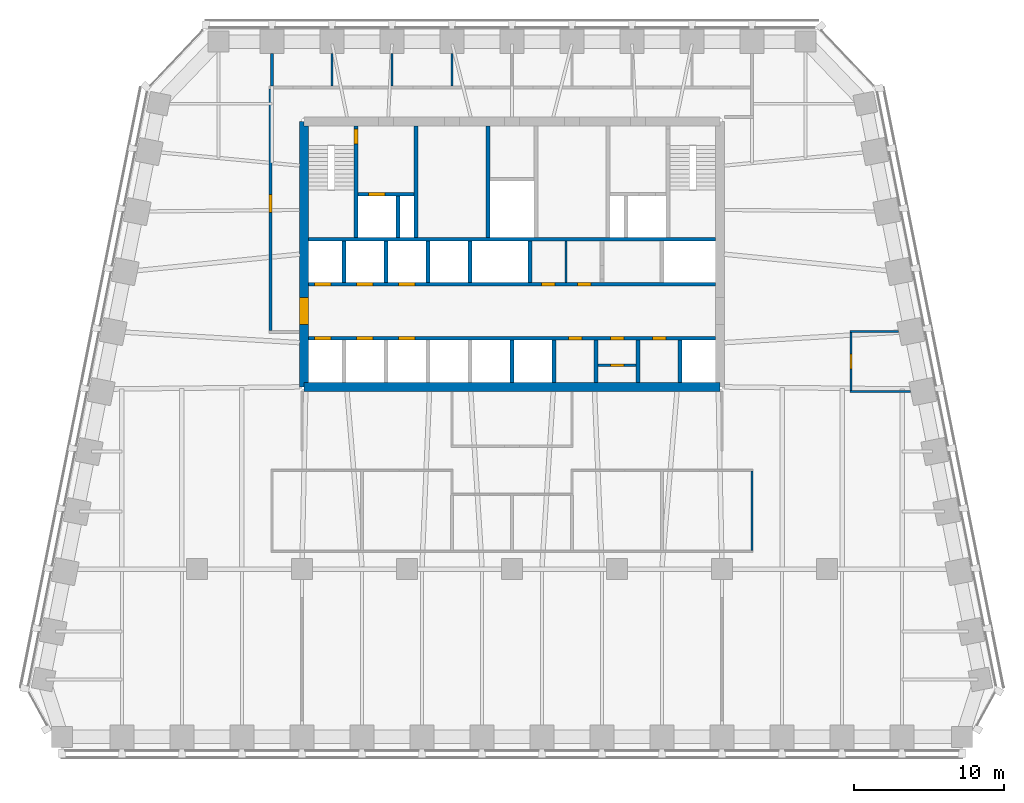
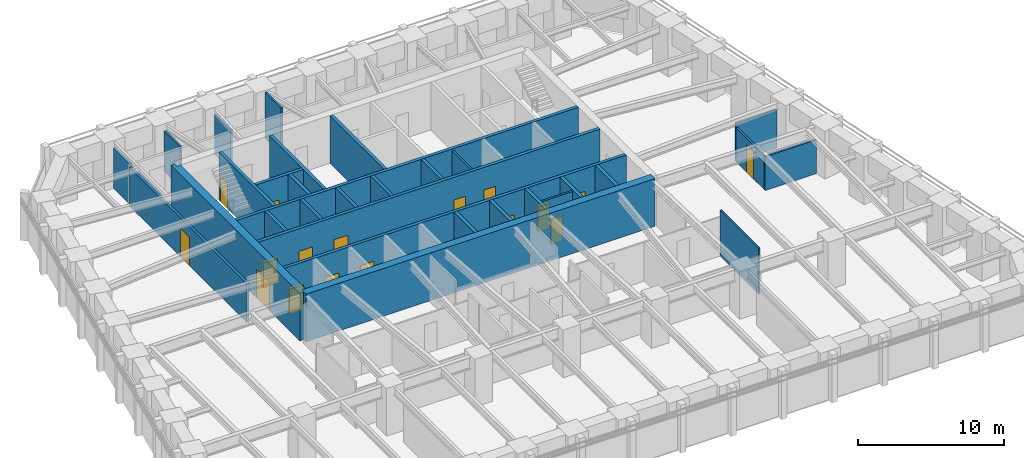
# One storey, part 6 of 10: 31 walls, 17 doors, 17 openings.
"""IFC4 building model written with IfcOpenShell, lengths in metres."""

from ifc_helpers import new_model, si_unit, direction, frame, frame_2d, origin, place, context, subcontext, project, spatial, polyline, rectangle, outline, extrude, material, layer, layer_set, type_object, element, fill, save


model = new_model("IFC4")

# Units and contexts
model_context = context("Model", 3, precision=1e-05, world=origin(), true_north=direction((0.0, 1.0)))
body_context = subcontext(model_context, "Body", "Model", "MODEL_VIEW")
ifc_project = project(units=[si_unit("LENGTHUNIT", "METRE"), si_unit("AREAUNIT", "SQUARE_METRE"), si_unit("VOLUMEUNIT", "CUBIC_METRE"), si_unit("PLANEANGLEUNIT", "RADIAN"), si_unit("MASSUNIT", "GRAM", prefix="KILO")], contexts=[model_context])

# Site, building, storey
site_placement = place(None, origin())
site = spatial("IfcSite", under=ifc_project, at=site_placement, CompositionType="ELEMENT")
building_placement = place(site_placement, origin())
building = spatial("IfcBuilding", under=site, at=building_placement, Name="Isbrekke Arena Tower", CompositionType="ELEMENT")
storey_placement = place(building_placement, frame((0.0, 0.0, 182.0)))
storey = spatial("IfcBuildingStorey", under=building, at=storey_placement, Name="L41", CompositionType="ELEMENT", Elevation=182.0)

# Wall
ifc_material_1 = material(Name="Concrete B55 (C55/67)", Category="concrete")
ifc_layer_1 = layer(ifc_material_1, 0.60009765625)
ifc_layer_set_1 = layer_set([ifc_layer_1], Name="CW4 CORE WALL 600")
wall_type_1 = type_object("IfcWallType", Name="CW4 CORE WALL 600", PredefinedType="SHEAR", material=ifc_layer_set_1)
wall_1_placement = place(storey_placement, frame((-13.85009765625, 6.14990234375, 0.0), z_axis=(0.0, 0.0, 1.0), x_axis=(1.0, 0.0, 0.0)))
element("IfcWall", 1, at=wall_1_placement, inside=storey, type_object=wall_type_1, Name="Core wall S L41", PredefinedType="SHEAR", context=body_context, shape_type="SweptSolid", body=[
    extrude(rectangle(XDim=27.7001953125, YDim=0.60009765625, at=frame_2d((13.85009765625, 0.0))), origin(), (0.0, 0.0, 1.0), 4.0),
])

# Wall, opening, door
wall_2_placement = place(storey_placement, frame((-13.85009765625, 23.85009765625, 0.0), z_axis=(0.0, 0.0, 1.0), x_axis=(0.0, -1.0, 0.0)))
wall_2 = element("IfcWall", 2, at=wall_2_placement, inside=storey, type_object=wall_type_1, Name="Core wall W L41", PredefinedType="SHEAR", context=body_context, shape_type="SweptSolid", body=[
    extrude(outline(polyline([(0.0, -0.300048828125), (17.7001953125, -0.300048828125), (17.7001953125, 0.0), (17.400146484375, 0.0), (17.400146484375, 0.300048828125), (0.300048828125, 0.300048828125), (0.300048828125, 0.0), (0.0, 0.0), (0.0, -0.300048828125)])), origin(), (0.0, 0.0, 1.0), 4.0),
])
opening_1_placement = place(wall_2_placement, frame((11.75, 0.0, 0.0)))
opening_1 = element("IfcOpeningElement", 3, at=opening_1_placement, cuts=wall_2, Name="Opening D1", PredefinedType="OPENING", context=body_context, shape_type="SweptSolid", body=[
    extrude(rectangle(XDim=1.800048828125, YDim=2.39990234375, at=frame_2d((0.89990234375, 1.199951171875))), frame((0.0, 0.31494140625, 0.0), z_axis=(0.0, -1.0, 0.0), x_axis=(1.0, 0.0, 0.0)), (0.0, 0.0, 1.0), 0.6298828125),
])
ifc_material_2 = material(Name="Steel-framed glazed fire door", Category="steel")
door_type_1 = type_object("IfcDoorType", Name="D1 CORE LOBBY DOOR 1800 x 2400", OperationType="DOUBLE_DOOR_SINGLE_SWING", PredefinedType="DOOR", material=ifc_material_2)
door_1_placement = place(opening_1_placement, origin())
door_1 = element("IfcDoor", 4, at=door_1_placement, inside=storey, type_object=door_type_1, Name="D1 lift lobby door west L41", OperationType="DOUBLE_DOOR_SINGLE_SWING", OverallHeight=2.39990234375, OverallWidth=1.800048828125, PredefinedType="DOOR", context=body_context, shape_type="SweptSolid", body=[
    extrude(rectangle(XDim=1.800048828125, YDim=2.39990234375, at=frame_2d((0.89990234375, 1.199951171875))), frame((0.0, 0.2998046875, 0.0), z_axis=(0.0, -1.0, 0.0), x_axis=(1.0, 0.0, 0.0)), (0.0, 0.0, 1.0), 0.599609375),
])
fill(opening_1, door_1)

# Wall, openings, doors
ifc_material_3 = material(Name="Concrete B45 (C45/55)", Category="concrete")
ifc_layer_2 = layer(ifc_material_3, 0.25)
ifc_layer_set_2 = layer_set([ifc_layer_2], Name="CW6 SHAFT WALL 250")
wall_type_2 = type_object("IfcWallType", Name="CW6 SHAFT WALL 250", PredefinedType="SHEAR", material=ifc_layer_set_2)
wall_3_placement = place(storey_placement, frame((-13.550048828125, 9.39990234375, 0.0), z_axis=(0.0, 0.0, 1.0), x_axis=(1.0, 0.0, 0.0)))
wall_3 = element("IfcWall", 5, at=wall_3_placement, inside=storey, type_object=wall_type_2, Name="Core wall LS L41", PredefinedType="SHEAR", context=body_context, shape_type="SweptSolid", body=[
    extrude(rectangle(XDim=27.10009765625, YDim=0.25, at=frame_2d((13.550048828125, 0.0))), origin(), (0.0, 0.0, 1.0), 4.0),
])
opening_2_placement = place(wall_3_placement, frame((0.39990234375, 0.0, 0.0)))
opening_2 = element("IfcOpeningElement", 6, at=opening_2_placement, cuts=wall_3, Name="Opening LD1", PredefinedType="OPENING", context=body_context, shape_type="SweptSolid", body=[
    extrude(rectangle(XDim=1.10009765625, YDim=2.10009765625, at=frame_2d((0.550048828125, 1.050048828125))), frame((0.0, 0.139892578125, 0.0), z_axis=(0.0, -1.0, 0.0), x_axis=(1.0, 0.0, 0.0)), (0.0, 0.0, 1.0), 0.27978515625),
])
opening_3_placement = place(wall_3_placement, frame((3.199951171875, 0.0, 0.0)))
opening_3 = element("IfcOpeningElement", 7, at=opening_3_placement, cuts=wall_3, Name="Opening LD1", PredefinedType="OPENING", context=body_context, shape_type="SweptSolid", body=[
    extrude(rectangle(XDim=1.10009765625, YDim=2.10009765625, at=frame_2d((0.550048828125, 1.050048828125))), frame((0.0, 0.139892578125, 0.0), z_axis=(0.0, -1.0, 0.0), x_axis=(1.0, 0.0, 0.0)), (0.0, 0.0, 1.0), 0.27978515625),
])
opening_4_placement = place(wall_3_placement, frame((6.0, 0.0, 0.0)))
opening_4 = element("IfcOpeningElement", 8, at=opening_4_placement, cuts=wall_3, Name="Opening LD1", PredefinedType="OPENING", context=body_context, shape_type="SweptSolid", body=[
    extrude(rectangle(XDim=1.10009765625, YDim=2.10009765625, at=frame_2d((0.550048828125, 1.050048828125))), frame((0.0, 0.139892578125, 0.0), z_axis=(0.0, -1.0, 0.0), x_axis=(1.0, 0.0, 0.0)), (0.0, 0.0, 1.0), 0.27978515625),
])
opening_5_placement = place(wall_3_placement, frame((17.300048828125, 0.0, 0.0)))
opening_5 = element("IfcOpeningElement", 9, at=opening_5_placement, cuts=wall_3, Name="Opening D5", PredefinedType="OPENING", context=body_context, shape_type="SweptSolid", body=[
    extrude(rectangle(XDim=0.89990234375, YDim=2.10009765625, at=frame_2d((0.449951171875, 1.050048828125))), frame((0.0, 0.139892578125, 0.0), z_axis=(0.0, -1.0, 0.0), x_axis=(1.0, 0.0, 0.0)), (0.0, 0.0, 1.0), 0.27978515625),
])
opening_6_placement = place(wall_3_placement, frame((20.10009765625, 0.0, 0.0)))
opening_6 = element("IfcOpeningElement", 10, at=opening_6_placement, cuts=wall_3, Name="Opening D5", PredefinedType="OPENING", context=body_context, shape_type="SweptSolid", body=[
    extrude(rectangle(XDim=0.89990234375, YDim=2.10009765625, at=frame_2d((0.449951171875, 1.050048828125))), frame((0.0, 0.139892578125, 0.0), z_axis=(0.0, -1.0, 0.0), x_axis=(1.0, 0.0, 0.0)), (0.0, 0.0, 1.0), 0.27978515625),
])
opening_7_placement = place(wall_3_placement, frame((22.89990234375, 0.0, 0.0)))
opening_7 = element("IfcOpeningElement", 11, at=opening_7_placement, cuts=wall_3, Name="Opening D5", PredefinedType="OPENING", context=body_context, shape_type="SweptSolid", body=[
    extrude(rectangle(XDim=0.89990234375, YDim=2.10009765625, at=frame_2d((0.449951171875, 1.050048828125))), frame((0.0, 0.139892578125, 0.0), z_axis=(0.0, -1.0, 0.0), x_axis=(1.0, 0.0, 0.0)), (0.0, 0.0, 1.0), 0.27978515625),
])
ifc_material_4 = material(Name="Steel fire door", Category="steel")
door_type_2 = type_object("IfcDoorType", Name="D5 SERVICE DOOR 900 x 2100", OperationType="SINGLE_SWING_LEFT", PredefinedType="DOOR", material=ifc_material_4)
door_2_placement = place(opening_5_placement, origin())
door_2 = element("IfcDoor", 12, at=door_2_placement, inside=storey, type_object=door_type_2, Name="D5 technical room door L41", OperationType="SINGLE_SWING_LEFT", OverallHeight=2.10009765625, OverallWidth=0.89990234375, PredefinedType="DOOR", context=body_context, shape_type="SweptSolid", body=[
    extrude(rectangle(XDim=0.89990234375, YDim=2.10009765625, at=frame_2d((0.449951171875, 1.050048828125))), frame((0.0, 0.124755859375, 0.0), z_axis=(0.0, -1.0, 0.0), x_axis=(1.0, 0.0, 0.0)), (0.0, 0.0, 1.0), 0.24951171875),
])
fill(opening_5, door_2)
door_3_placement = place(opening_6_placement, origin())
door_3 = element("IfcDoor", 13, at=door_3_placement, inside=storey, type_object=door_type_2, Name="D5 print room door L41", OperationType="SINGLE_SWING_LEFT", OverallHeight=2.10009765625, OverallWidth=0.89990234375, PredefinedType="DOOR", context=body_context, shape_type="SweptSolid", body=[
    extrude(rectangle(XDim=0.89990234375, YDim=2.10009765625, at=frame_2d((0.449951171875, 1.050048828125))), frame((0.0, 0.124755859375, 0.0), z_axis=(0.0, -1.0, 0.0), x_axis=(1.0, 0.0, 0.0)), (0.0, 0.0, 1.0), 0.24951171875),
])
fill(opening_6, door_3)
door_4_placement = place(opening_7_placement, origin())
door_4 = element("IfcDoor", 14, at=door_4_placement, inside=storey, type_object=door_type_2, Name="D5 archive door L41", OperationType="SINGLE_SWING_LEFT", OverallHeight=2.10009765625, OverallWidth=0.89990234375, PredefinedType="DOOR", context=body_context, shape_type="SweptSolid", body=[
    extrude(rectangle(XDim=0.89990234375, YDim=2.10009765625, at=frame_2d((0.449951171875, 1.050048828125))), frame((0.0, 0.124755859375, 0.0), z_axis=(0.0, -1.0, 0.0), x_axis=(1.0, 0.0, 0.0)), (0.0, 0.0, 1.0), 0.24951171875),
])
fill(opening_7, door_4)
ifc_material_5 = material(Name="Stainless steel lift landing door", Category="steel")
door_type_3 = type_object("IfcDoorType", Name="LD1 LIFT LANDING DOOR 1100 x 2100", OperationType="SLIDING_TO_LEFT", PredefinedType="DOOR", material=ifc_material_5)
door_5_placement = place(opening_2_placement, origin())
door_5 = element("IfcDoor", 15, at=door_5_placement, inside=storey, type_object=door_type_3, Name="LD1 lift landing door LC L41", OperationType="SLIDING_TO_LEFT", OverallHeight=2.10009765625, OverallWidth=1.10009765625, PredefinedType="DOOR", context=body_context, shape_type="SweptSolid", body=[
    extrude(rectangle(XDim=1.10009765625, YDim=2.10009765625, at=frame_2d((0.550048828125, 1.050048828125))), frame((0.0, 0.124755859375, 0.0), z_axis=(0.0, -1.0, 0.0), x_axis=(1.0, 0.0, 0.0)), (0.0, 0.0, 1.0), 0.24951171875),
])
fill(opening_2, door_5)
door_6_placement = place(opening_3_placement, origin())
door_6 = element("IfcDoor", 16, at=door_6_placement, inside=storey, type_object=door_type_3, Name="LD1 lift landing door LC L41", OperationType="SLIDING_TO_LEFT", OverallHeight=2.10009765625, OverallWidth=1.10009765625, PredefinedType="DOOR", context=body_context, shape_type="SweptSolid", body=[
    extrude(rectangle(XDim=1.10009765625, YDim=2.10009765625, at=frame_2d((0.550048828125, 1.050048828125))), frame((0.0, 0.124755859375, 0.0), z_axis=(0.0, -1.0, 0.0), x_axis=(1.0, 0.0, 0.0)), (0.0, 0.0, 1.0), 0.24951171875),
])
fill(opening_3, door_6)
door_7_placement = place(opening_4_placement, origin())
door_7 = element("IfcDoor", 17, at=door_7_placement, inside=storey, type_object=door_type_3, Name="LD1 lift landing door LC L41", OperationType="SLIDING_TO_LEFT", OverallHeight=2.10009765625, OverallWidth=1.10009765625, PredefinedType="DOOR", context=body_context, shape_type="SweptSolid", body=[
    extrude(rectangle(XDim=1.10009765625, YDim=2.10009765625, at=frame_2d((0.550048828125, 1.050048828125))), frame((0.0, 0.124755859375, 0.0), z_axis=(0.0, -1.0, 0.0), x_axis=(1.0, 0.0, 0.0)), (0.0, 0.0, 1.0), 0.24951171875),
])
fill(opening_4, door_7)

wall_4_placement = place(storey_placement, frame((-13.550048828125, 13.0, 0.0), z_axis=(0.0, 0.0, 1.0), x_axis=(1.0, 0.0, 0.0)))
wall_4 = element("IfcWall", 18, at=wall_4_placement, inside=storey, type_object=wall_type_2, Name="Core wall LN L41", PredefinedType="SHEAR", context=body_context, shape_type="SweptSolid", body=[
    extrude(rectangle(XDim=27.10009765625, YDim=0.25, at=frame_2d((13.550048828125, 0.0))), origin(), (0.0, 0.0, 1.0), 4.0),
])
opening_8_placement = place(wall_4_placement, frame((0.39990234375, 0.0, 0.0)))
opening_8 = element("IfcOpeningElement", 19, at=opening_8_placement, cuts=wall_4, Name="Opening LD1", PredefinedType="OPENING", context=body_context, shape_type="SweptSolid", body=[
    extrude(rectangle(XDim=1.10009765625, YDim=2.10009765625, at=frame_2d((0.550048828125, 1.050048828125))), frame((0.0, 0.139892578125, 0.0), z_axis=(0.0, -1.0, 0.0), x_axis=(1.0, 0.0, 0.0)), (0.0, 0.0, 1.0), 0.27978515625),
])
opening_9_placement = place(wall_4_placement, frame((3.199951171875, 0.0, 0.0)))
opening_9 = element("IfcOpeningElement", 20, at=opening_9_placement, cuts=wall_4, Name="Opening LD1", PredefinedType="OPENING", context=body_context, shape_type="SweptSolid", body=[
    extrude(rectangle(XDim=1.10009765625, YDim=2.10009765625, at=frame_2d((0.550048828125, 1.050048828125))), frame((0.0, 0.139892578125, 0.0), z_axis=(0.0, -1.0, 0.0), x_axis=(1.0, 0.0, 0.0)), (0.0, 0.0, 1.0), 0.27978515625),
])
opening_10_placement = place(wall_4_placement, frame((6.0, 0.0, 0.0)))
opening_10 = element("IfcOpeningElement", 21, at=opening_10_placement, cuts=wall_4, Name="Opening LD1", PredefinedType="OPENING", context=body_context, shape_type="SweptSolid", body=[
    extrude(rectangle(XDim=1.10009765625, YDim=2.10009765625, at=frame_2d((0.550048828125, 1.050048828125))), frame((0.0, 0.139892578125, 0.0), z_axis=(0.0, -1.0, 0.0), x_axis=(1.0, 0.0, 0.0)), (0.0, 0.0, 1.0), 0.27978515625),
])
opening_11_placement = place(wall_4_placement, frame((15.5, 0.0, 0.0)))
opening_11 = element("IfcOpeningElement", 22, at=opening_11_placement, cuts=wall_4, Name="Opening D5", PredefinedType="OPENING", context=body_context, shape_type="SweptSolid", body=[
    extrude(rectangle(XDim=0.89990234375, YDim=2.10009765625, at=frame_2d((0.449951171875, 1.050048828125))), frame((0.0, 0.139892578125, 0.0), z_axis=(0.0, -1.0, 0.0), x_axis=(1.0, 0.0, 0.0)), (0.0, 0.0, 1.0), 0.27978515625),
])
opening_12_placement = place(wall_4_placement, frame((17.89990234375, 0.0, 0.0)))
opening_12 = element("IfcOpeningElement", 23, at=opening_12_placement, cuts=wall_4, Name="Opening D5", PredefinedType="OPENING", context=body_context, shape_type="SweptSolid", body=[
    extrude(rectangle(XDim=0.89990234375, YDim=2.10009765625, at=frame_2d((0.449951171875, 1.050048828125))), frame((0.0, 0.139892578125, 0.0), z_axis=(0.0, -1.0, 0.0), x_axis=(1.0, 0.0, 0.0)), (0.0, 0.0, 1.0), 0.27978515625),
])
door_8_placement = place(opening_11_placement, origin())
door_8 = element("IfcDoor", 24, at=door_8_placement, inside=storey, type_object=door_type_2, Name="D5 communications room door L41", OperationType="SINGLE_SWING_LEFT", OverallHeight=2.10009765625, OverallWidth=0.89990234375, PredefinedType="DOOR", context=body_context, shape_type="SweptSolid", body=[
    extrude(rectangle(XDim=0.89990234375, YDim=2.10009765625, at=frame_2d((0.449951171875, 1.050048828125))), frame((0.0, 0.124755859375, 0.0), z_axis=(0.0, -1.0, 0.0), x_axis=(1.0, 0.0, 0.0)), (0.0, 0.0, 1.0), 0.24951171875),
])
fill(opening_11, door_8)
door_9_placement = place(opening_12_placement, origin())
door_9 = element("IfcDoor", 25, at=door_9_placement, inside=storey, type_object=door_type_2, Name="D5 cleaner's store door L41", OperationType="SINGLE_SWING_LEFT", OverallHeight=2.10009765625, OverallWidth=0.89990234375, PredefinedType="DOOR", context=body_context, shape_type="SweptSolid", body=[
    extrude(rectangle(XDim=0.89990234375, YDim=2.10009765625, at=frame_2d((0.449951171875, 1.050048828125))), frame((0.0, 0.124755859375, 0.0), z_axis=(0.0, -1.0, 0.0), x_axis=(1.0, 0.0, 0.0)), (0.0, 0.0, 1.0), 0.24951171875),
])
fill(opening_12, door_9)
door_10_placement = place(opening_8_placement, origin())
door_10 = element("IfcDoor", 26, at=door_10_placement, inside=storey, type_object=door_type_3, Name="LD1 lift landing door LC L41", OperationType="SLIDING_TO_LEFT", OverallHeight=2.10009765625, OverallWidth=1.10009765625, PredefinedType="DOOR", context=body_context, shape_type="SweptSolid", body=[
    extrude(rectangle(XDim=1.10009765625, YDim=2.10009765625, at=frame_2d((0.550048828125, 1.050048828125))), frame((0.0, 0.124755859375, 0.0), z_axis=(0.0, -1.0, 0.0), x_axis=(1.0, 0.0, 0.0)), (0.0, 0.0, 1.0), 0.24951171875),
])
fill(opening_8, door_10)
door_11_placement = place(opening_9_placement, origin())
door_11 = element("IfcDoor", 27, at=door_11_placement, inside=storey, type_object=door_type_3, Name="LD1 lift landing door LC L41", OperationType="SLIDING_TO_LEFT", OverallHeight=2.10009765625, OverallWidth=1.10009765625, PredefinedType="DOOR", context=body_context, shape_type="SweptSolid", body=[
    extrude(rectangle(XDim=1.10009765625, YDim=2.10009765625, at=frame_2d((0.550048828125, 1.050048828125))), frame((0.0, 0.124755859375, 0.0), z_axis=(0.0, -1.0, 0.0), x_axis=(1.0, 0.0, 0.0)), (0.0, 0.0, 1.0), 0.24951171875),
])
fill(opening_9, door_11)
door_12_placement = place(opening_10_placement, origin())
door_12 = element("IfcDoor", 28, at=door_12_placement, inside=storey, type_object=door_type_3, Name="LD1 lift landing door LC L41", OperationType="SLIDING_TO_LEFT", OverallHeight=2.10009765625, OverallWidth=1.10009765625, PredefinedType="DOOR", context=body_context, shape_type="SweptSolid", body=[
    extrude(rectangle(XDim=1.10009765625, YDim=2.10009765625, at=frame_2d((0.550048828125, 1.050048828125))), frame((0.0, 0.124755859375, 0.0), z_axis=(0.0, -1.0, 0.0), x_axis=(1.0, 0.0, 0.0)), (0.0, 0.0, 1.0), 0.24951171875),
])
fill(opening_10, door_12)

# Walls
wall_5_placement = place(storey_placement, frame((-13.550048828125, 16.0, 0.0), z_axis=(0.0, 0.0, 1.0), x_axis=(1.0, 0.0, 0.0)))
element("IfcWall", 29, at=wall_5_placement, inside=storey, type_object=wall_type_2, Name="Core wall NB L41", PredefinedType="SHEAR", context=body_context, shape_type="SweptSolid", body=[
    extrude(rectangle(XDim=27.10009765625, YDim=0.25, at=frame_2d((13.550048828125, 0.0))), origin(), (0.0, 0.0, 1.0), 4.0),
])
for number, where, z_axis, x_axis, name in (
    (30, (0.0, 6.449951171875, 0.0), (0.0, 0.0, 1.0), (0.0, 1.0, 0.0), "Core wall SS05 L41"),
    (31, (2.800048828125, 6.449951171875, 0.0), (0.0, 0.0, 1.0), (0.0, 1.0, 0.0), "Core wall SS06 L41"),
    (32, (5.60009765625, 6.449951171875, 0.0), (0.0, 0.0, 1.0), (0.0, 1.0, 0.0), "Core wall SS07 L41"),
    (33, (8.39990234375, 6.449951171875, 0.0), (0.0, 0.0, 1.0), (0.0, 1.0, 0.0), "Core wall SS08 L41"),
    (34, (11.199951171875, 6.449951171875, 0.0), (0.0, 0.0, 1.0), (0.0, 1.0, 0.0), "Core wall SS09 L41"),
):
    element("IfcWall", number, at=place(storey_placement, frame(where, z_axis=z_axis, x_axis=x_axis)), inside=storey, type_object=wall_type_2, Name=name, PredefinedType="SHEAR", context=body_context, shape_type="SweptSolid", body=[
        extrude(rectangle(XDim=2.824951171875, YDim=0.25, at=frame_2d((1.41259765625, 0.0))), origin(), (0.0, 0.0, 1.0), 4.0),
    ])
for number, where, z_axis, x_axis, name in (
    (35, (-11.199951171875, 13.125, 0.0), (0.0, 0.0, 1.0), (0.0, 1.0, 0.0), "Core wall SN01 L41"),
    (36, (-8.39990234375, 13.125, 0.0), (0.0, 0.0, 1.0), (0.0, 1.0, 0.0), "Core wall SN02 L41"),
    (37, (-5.60009765625, 13.125, 0.0), (0.0, 0.0, 1.0), (0.0, 1.0, 0.0), "Core wall SN03 L41"),
    (38, (-2.800048828125, 13.125, 0.0), (0.0, 0.0, 1.0), (0.0, 1.0, 0.0), "Core wall SN04 L41"),
    (39, (1.199951171875, 13.125, 0.0), (0.0, 0.0, 1.0), (0.0, 1.0, 0.0), "Core wall SN05 L41"),
):
    element("IfcWall", number, at=place(storey_placement, frame(where, z_axis=z_axis, x_axis=x_axis)), inside=storey, type_object=wall_type_2, Name=name, PredefinedType="SHEAR", context=body_context, shape_type="SweptSolid", body=[
        extrude(rectangle(XDim=2.75, YDim=0.25, at=frame_2d((1.375, 0.0))), origin(), (0.0, 0.0, 1.0), 4.0),
    ])

# Wall, opening, door
wall_6_placement = place(storey_placement, frame((-10.39990234375, 16.125, 0.0), z_axis=(0.0, 0.0, 1.0), x_axis=(0.0, 1.0, 0.0)))
wall_6 = element("IfcWall", 40, at=wall_6_placement, inside=storey, type_object=wall_type_2, Name="Core wall NV01 L41", PredefinedType="SHEAR", context=body_context, shape_type="SweptSolid", body=[
    extrude(rectangle(XDim=7.425048828125, YDim=0.25, at=frame_2d((3.71240234375, 0.0))), origin(), (0.0, 0.0, 1.0), 4.0),
])
opening_13_placement = place(wall_6_placement, frame((6.22509765625, 0.0, 0.0)))
opening_13 = element("IfcOpeningElement", 41, at=opening_13_placement, cuts=wall_6, Name="Opening D2", PredefinedType="OPENING", context=body_context, shape_type="SweptSolid", body=[
    extrude(rectangle(XDim=1.0, YDim=2.10009765625, at=frame_2d((0.5, 1.050048828125))), frame((0.0, 0.139892578125, 0.0), z_axis=(0.0, -1.0, 0.0), x_axis=(1.0, 0.0, 0.0)), (0.0, 0.0, 1.0), 0.27978515625),
])
ifc_material_6 = material(Name="Steel fire door", Category="steel")
door_type_4 = type_object("IfcDoorType", Name="D2 STAIR DOOR 1000 x 2100", OperationType="SINGLE_SWING_LEFT", PredefinedType="DOOR", material=ifc_material_6)
door_13_placement = place(opening_13_placement, origin())
door_13 = element("IfcDoor", 42, at=door_13_placement, inside=storey, type_object=door_type_4, Name="D2 stair door ST1 L41", OperationType="SINGLE_SWING_LEFT", OverallHeight=2.10009765625, OverallWidth=1.0, PredefinedType="DOOR", context=body_context, shape_type="SweptSolid", body=[
    extrude(rectangle(XDim=1.0, YDim=2.10009765625, at=frame_2d((0.5, 1.050048828125))), frame((0.0, 0.124755859375, 0.0), z_axis=(0.0, -1.0, 0.0), x_axis=(1.0, 0.0, 0.0)), (0.0, 0.0, 1.0), 0.24951171875),
])
fill(opening_13, door_13)

# Walls
for number, where, z_axis, x_axis, name in (
    (43, (-6.39990234375, 16.125, 0.0), (0.0, 0.0, 1.0), (0.0, 1.0, 0.0), "Core wall NV02 L41"),
    (44, (-1.60009765625, 16.125, 0.0), (0.0, 0.0, 1.0), (0.0, 1.0, 0.0), "Core wall NV03 L41"),
):
    element("IfcWall", number, at=place(storey_placement, frame(where, z_axis=z_axis, x_axis=x_axis)), inside=storey, type_object=wall_type_2, Name=name, PredefinedType="SHEAR", context=body_context, shape_type="SweptSolid", body=[
        extrude(rectangle(XDim=7.425048828125, YDim=0.25, at=frame_2d((3.71240234375, 0.0))), origin(), (0.0, 0.0, 1.0), 4.0),
    ])

# Wall, opening, door
wall_7_placement = place(storey_placement, frame((-10.27490234375, 19.0, 0.0), z_axis=(0.0, 0.0, 1.0), x_axis=(1.0, 0.0, 0.0)))
wall_7 = element("IfcWall", 45, at=wall_7_placement, inside=storey, type_object=wall_type_2, Name="Core wall NFW L41", PredefinedType="SHEAR", context=body_context, shape_type="SweptSolid", body=[
    extrude(rectangle(XDim=3.75, YDim=0.25, at=frame_2d((1.875, 0.0))), origin(), (0.0, 0.0, 1.0), 4.0),
])
opening_14_placement = place(wall_7_placement, frame((0.72509765625, 0.0, 0.0)))
opening_14 = element("IfcOpeningElement", 46, at=opening_14_placement, cuts=wall_7, Name="Opening LD2", PredefinedType="OPENING", context=body_context, shape_type="SweptSolid", body=[
    extrude(rectangle(XDim=1.10009765625, YDim=2.10009765625, at=frame_2d((0.550048828125, 1.050048828125))), frame((0.0, 0.139892578125, 0.0), z_axis=(0.0, -1.0, 0.0), x_axis=(1.0, 0.0, 0.0)), (0.0, 0.0, 1.0), 0.27978515625),
])
ifc_material_7 = material(Name="Stainless steel lift landing door", Category="steel")
door_type_5 = type_object("IfcDoorType", Name="LD2 FIRE-FIGHTING LIFT LANDING DOOR 1100 x 2100", OperationType="SLIDING_TO_RIGHT", PredefinedType="DOOR", material=ifc_material_7)
door_14_placement = place(opening_14_placement, origin())
door_14 = element("IfcDoor", 47, at=door_14_placement, inside=storey, type_object=door_type_5, Name="LD2 lift landing door LF L41", OperationType="SLIDING_TO_RIGHT", OverallHeight=2.10009765625, OverallWidth=1.10009765625, PredefinedType="DOOR", context=body_context, shape_type="SweptSolid", body=[
    extrude(rectangle(XDim=1.10009765625, YDim=2.10009765625, at=frame_2d((0.550048828125, 1.050048828125))), frame((0.0, 0.124755859375, 0.0), z_axis=(0.0, -1.0, 0.0), x_axis=(1.0, 0.0, 0.0)), (0.0, 0.0, 1.0), 0.24951171875),
])
fill(opening_14, door_14)

# Walls
wall_8_placement = place(storey_placement, frame((-7.60009765625, 16.125, 0.0), z_axis=(0.0, 0.0, 1.0), x_axis=(0.0, 1.0, 0.0)))
element("IfcWall", 48, at=wall_8_placement, inside=storey, type_object=wall_type_2, Name="Core wall NFS1 L41", PredefinedType="SHEAR", context=body_context, shape_type="SweptSolid", body=[
    extrude(rectangle(XDim=2.75, YDim=0.25, at=frame_2d((1.375, 0.0))), origin(), (0.0, 0.0, 1.0), 4.0),
])
ifc_material_8 = material(Name="Gypsum board partition on steel studs", Category="steel")
ifc_layer_3 = layer(ifc_material_8, 0.14990234375)
ifc_layer_set_3 = layer_set([ifc_layer_3], Name="IW1 PARTITION 150")
wall_type_3 = type_object("IfcWallType", Name="IW1 PARTITION 150", PredefinedType="PARTITIONING", material=ifc_layer_set_3)
wall_9_placement = place(storey_placement, frame((22.52490234375, 5.840087890625, 0.0), z_axis=(0.0, 0.0, 1.0), x_axis=(1.0, 0.0, 0.0)))
element("IfcWall", 49, at=wall_9_placement, inside=storey, type_object=wall_type_3, Name="IW1 partition 150 L41", PredefinedType="PARTITIONING", context=body_context, shape_type="SweptSolid", body=[
    extrude(rectangle(XDim=4.0498046875, YDim=0.14990234375, at=frame_2d((2.02490234375, 0.0))), origin(), (0.0, 0.0, 1.0), 2.842041015625),
])
wall_10_placement = place(storey_placement, frame((22.52490234375, 9.840087890625, 0.0), z_axis=(0.0, 0.0, 1.0), x_axis=(1.0, 0.0, 0.0)))
element("IfcWall", 50, at=wall_10_placement, inside=storey, type_object=wall_type_3, Name="IW1 partition 150 L41", PredefinedType="PARTITIONING", context=body_context, shape_type="SweptSolid", body=[
    extrude(rectangle(XDim=3.25, YDim=0.14990234375, at=frame_2d((1.625, 0.0))), origin(), (0.0, 0.0, 1.0), 3.25),
])
for number, where, z_axis, x_axis, name in (
    (51, (-12.0, 26.199951171875, 0.0), (0.0, 0.0, 1.0), (0.0, 1.0, 0.0), "IW1 partition 150 L41"),
    (52, (-8.0, 26.199951171875, 0.0), (0.0, 0.0, 1.0), (0.0, 1.0, 0.0), "IW1 partition 150 L41"),
):
    element("IfcWall", number, at=place(storey_placement, frame(where, z_axis=z_axis, x_axis=x_axis)), inside=storey, type_object=wall_type_3, Name=name, PredefinedType="PARTITIONING", context=body_context, shape_type="SweptSolid", body=[
        extrude(rectangle(XDim=2.175048828125, YDim=0.14990234375, at=frame_2d((1.08740234375, 0.0))), origin(), (0.0, 0.0, 1.0), 3.39990234375),
    ])
wall_11_placement = place(storey_placement, frame((-4.0, 26.199951171875, 0.0), z_axis=(0.0, 0.0, 1.0), x_axis=(0.0, 1.0, 0.0)))
element("IfcWall", 53, at=wall_11_placement, inside=storey, type_object=wall_type_3, Name="IW1 partition 150 L41", PredefinedType="PARTITIONING", context=body_context, shape_type="SweptSolid", body=[
    extrude(rectangle(XDim=2.175048828125, YDim=0.14990234375, at=frame_2d((1.08740234375, 0.0))), origin(), (0.0, 0.0, 1.0), 3.85009765625),
])

# Wall, opening, door
wall_12_placement = place(storey_placement, frame((22.60009765625, 5.9150390625, 0.0), z_axis=(0.0, 0.0, 1.0), x_axis=(0.0, 1.0, 0.0)))
wall_12 = element("IfcWall", 54, at=wall_12_placement, inside=storey, type_object=wall_type_3, Name="IW1 partition 150 L41", PredefinedType="PARTITIONING", context=body_context, shape_type="SweptSolid", body=[
    extrude(rectangle(XDim=3.849853515625, YDim=0.14990234375, at=frame_2d((1.9248046875, 0.0))), origin(), (0.0, 0.0, 1.0), 2.842041015625),
])
opening_15_placement = place(wall_12_placement, frame((1.425048828125, 0.0, 0.0)))
opening_15 = element("IfcOpeningElement", 55, at=opening_15_placement, cuts=wall_12, Name="Opening D10", PredefinedType="OPENING", context=body_context, shape_type="SweptSolid", body=[
    extrude(rectangle(XDim=1.0, YDim=2.300048828125, at=frame_2d((0.5, 1.14990234375))), frame((0.0, 0.08984375, 0.0), z_axis=(0.0, -1.0, 0.0), x_axis=(1.0, 0.0, 0.0)), (0.0, 0.0, 1.0), 0.1796875),
])
ifc_material_9 = material(Name="Timber door", Category="wood")
door_type_6 = type_object("IfcDoorType", Name="D10 OFFICE DOOR 1000 x 2300", OperationType="SINGLE_SWING_LEFT", PredefinedType="DOOR", material=ifc_material_9)
door_15_placement = place(opening_15_placement, origin())
door_15 = element("IfcDoor", 56, at=door_15_placement, inside=storey, type_object=door_type_6, Name="D10 pantry door L41", OperationType="SINGLE_SWING_LEFT", OverallHeight=2.300048828125, OverallWidth=1.0, PredefinedType="DOOR", context=body_context, shape_type="SweptSolid", body=[
    extrude(rectangle(XDim=1.0, YDim=2.300048828125, at=frame_2d((0.5, 1.14990234375))), frame((0.0, 0.07470703125, 0.0), z_axis=(0.0, -1.0, 0.0), x_axis=(1.0, 0.0, 0.0)), (0.0, 0.0, 1.0), 0.1494140625),
])
fill(opening_15, door_15)

# Wall
ifc_material_10 = material(Name="Frameless glazed partition, laminated acoustic glass", Category="glass")
ifc_layer_4 = layer(ifc_material_10, 0.1201171875)
ifc_layer_set_4 = layer_set([ifc_layer_4], Name="IW2 GLAZED PARTITION 120")
wall_type_4 = type_object("IfcWallType", Name="IW2 GLAZED PARTITION 120", PredefinedType="PARTITIONING", material=ifc_layer_set_4)
wall_13_placement = place(storey_placement, frame((16.0, -4.739990234375, 0.0), z_axis=(0.0, 0.0, 1.0), x_axis=(0.0, 1.0, 0.0)))
element("IfcWall", 57, at=wall_13_placement, inside=storey, type_object=wall_type_4, Name="IW2 glazed partition 120 L41", PredefinedType="PARTITIONING", context=body_context, shape_type="SweptSolid", body=[
    extrude(rectangle(XDim=5.280029296875, YDim=0.1201171875, at=frame_2d((2.64013671875, 0.0))), origin(), (0.0, 0.0, 1.0), 3.85009765625),
])

# Wall, opening, door
ifc_material_11 = material(Name="Gypsum board fire-cell wall on steel studs, two layers each side", Category="steel")
ifc_layer_5 = layer(ifc_material_11, 0.199951171875)
ifc_layer_set_5 = layer_set([ifc_layer_5], Name="IW3 FIRE-CELL WALL 200")
wall_type_5 = type_object("IfcWallType", Name="IW3 FIRE-CELL WALL 200", PredefinedType="PARTITIONING", material=ifc_layer_set_5)
wall_14_placement = place(storey_placement, frame((-16.10009765625, 9.89990234375, 0.0), z_axis=(0.0, 0.0, 1.0), x_axis=(0.0, 1.0, 0.0)))
wall_14 = element("IfcWall", 58, at=wall_14_placement, inside=storey, type_object=wall_type_5, Name="IW3 fire-cell wall 200 L41", PredefinedType="PARTITIONING", context=body_context, shape_type="SweptSolid", body=[
    extrude(rectangle(XDim=16.10009765625, YDim=0.199951171875, at=frame_2d((8.050048828125, 0.0))), origin(), (0.0, 0.0, 1.0), 3.25),
])
opening_16_placement = place(wall_14_placement, frame((7.8798828125, 0.0, 0.0)))
opening_16 = element("IfcOpeningElement", 59, at=opening_16_placement, cuts=wall_14, Name="Opening D12", PredefinedType="OPENING", context=body_context, shape_type="SweptSolid", body=[
    extrude(rectangle(XDim=1.199951171875, YDim=2.39990234375, at=frame_2d((0.60009765625, 1.199951171875))), frame((0.0, 0.11474609375, 0.0), z_axis=(0.0, -1.0, 0.0), x_axis=(1.0, 0.0, 0.0)), (0.0, 0.0, 1.0), 0.229736328125),
])
ifc_material_12 = material(Name="Timber fire door with vision panel", Category="wood")
door_type_7 = type_object("IfcDoorType", Name="D12 SUITE ENTRANCE DOOR 1200 x 2400", OperationType="SINGLE_SWING_LEFT", PredefinedType="DOOR", material=ifc_material_12)
door_16_placement = place(opening_16_placement, origin())
door_16 = element("IfcDoor", 60, at=door_16_placement, inside=storey, type_object=door_type_7, Name="D12 suite entrance A door L41", OperationType="SINGLE_SWING_LEFT", OverallHeight=2.39990234375, OverallWidth=1.199951171875, PredefinedType="DOOR", context=body_context, shape_type="SweptSolid", body=[
    extrude(rectangle(XDim=1.199951171875, YDim=2.39990234375, at=frame_2d((0.60009765625, 1.199951171875))), frame((0.0, 0.099609375, 0.0), z_axis=(0.0, -1.0, 0.0), x_axis=(1.0, 0.0, 0.0)), (0.0, 0.0, 1.0), 0.199462890625),
])
fill(opening_16, door_16)

# Walls
wall_15_placement = place(storey_placement, frame((-16.0, 26.199951171875, 0.0), z_axis=(0.0, 0.0, 1.0), x_axis=(0.0, 1.0, 0.0)))
element("IfcWall", 61, at=wall_15_placement, inside=storey, type_object=wall_type_5, Name="IW3 fire-cell wall 200 L41", PredefinedType="PARTITIONING", context=body_context, shape_type="SweptSolid", body=[
    extrude(rectangle(XDim=2.175048828125, YDim=0.199951171875, at=frame_2d((1.08740234375, 0.0))), origin(), (0.0, 0.0, 1.0), 3.39990234375),
])
ifc_material_13 = material(Name="Gypsum board fire-rated partition on steel studs, two layers each side", Category="steel")
ifc_layer_6 = layer(ifc_material_13, 0.14990234375)
ifc_layer_set_6 = layer_set([ifc_layer_6], Name="IW5 FIRE-RATED PARTITION 150")
wall_type_6 = type_object("IfcWallType", Name="IW5 FIRE-RATED PARTITION 150", PredefinedType="PARTITIONING", material=ifc_layer_set_6)
wall_16_placement = place(storey_placement, frame((3.60009765625, 13.125, 0.0), z_axis=(0.0, 0.0, 1.0), x_axis=(0.0, 1.0, 0.0)))
element("IfcWall", 62, at=wall_16_placement, inside=storey, type_object=wall_type_6, Name="IW5 fire-rated partition L41 core service rooms 1", PredefinedType="PARTITIONING", context=body_context, shape_type="SweptSolid", body=[
    extrude(rectangle(XDim=2.75, YDim=0.14990234375, at=frame_2d((1.375, 0.0))), origin(), (0.0, 0.0, 1.0), 3.85009765625),
])

# Wall, opening, door
wall_17_placement = place(storey_placement, frame((5.72509765625, 7.60009765625, 0.0), z_axis=(0.0, 0.0, 1.0), x_axis=(1.0, 0.0, 0.0)))
wall_17 = element("IfcWall", 63, at=wall_17_placement, inside=storey, type_object=wall_type_6, Name="IW5 fire-rated partition L41 core service rooms 2", PredefinedType="PARTITIONING", context=body_context, shape_type="SweptSolid", body=[
    extrude(rectangle(XDim=2.5498046875, YDim=0.14990234375, at=frame_2d((1.27490234375, 0.0))), origin(), (0.0, 0.0, 1.0), 3.85009765625),
])
opening_17_placement = place(wall_17_placement, frame((0.824951171875, 0.0, 0.0)))
opening_17 = element("IfcOpeningElement", 64, at=opening_17_placement, cuts=wall_17, Name="Opening D5", PredefinedType="OPENING", context=body_context, shape_type="SweptSolid", body=[
    extrude(rectangle(XDim=0.89990234375, YDim=2.10009765625, at=frame_2d((0.449951171875, 1.050048828125))), frame((0.0, 0.08984375, 0.0), z_axis=(0.0, -1.0, 0.0), x_axis=(1.0, 0.0, 0.0)), (0.0, 0.0, 1.0), 0.1796875),
])
door_17_placement = place(opening_17_placement, origin())
door_17 = element("IfcDoor", 65, at=door_17_placement, inside=storey, type_object=door_type_2, Name="D5 store door L41", OperationType="SINGLE_SWING_LEFT", OverallHeight=2.10009765625, OverallWidth=0.89990234375, PredefinedType="DOOR", context=body_context, shape_type="SweptSolid", body=[
    extrude(rectangle(XDim=0.89990234375, YDim=2.10009765625, at=frame_2d((0.449951171875, 1.050048828125))), frame((0.0, 0.07470703125, 0.0), z_axis=(0.0, -1.0, 0.0), x_axis=(1.0, 0.0, 0.0)), (0.0, 0.0, 1.0), 0.1494140625),
])
fill(opening_17, door_17)

save(model, "model.ifc")
